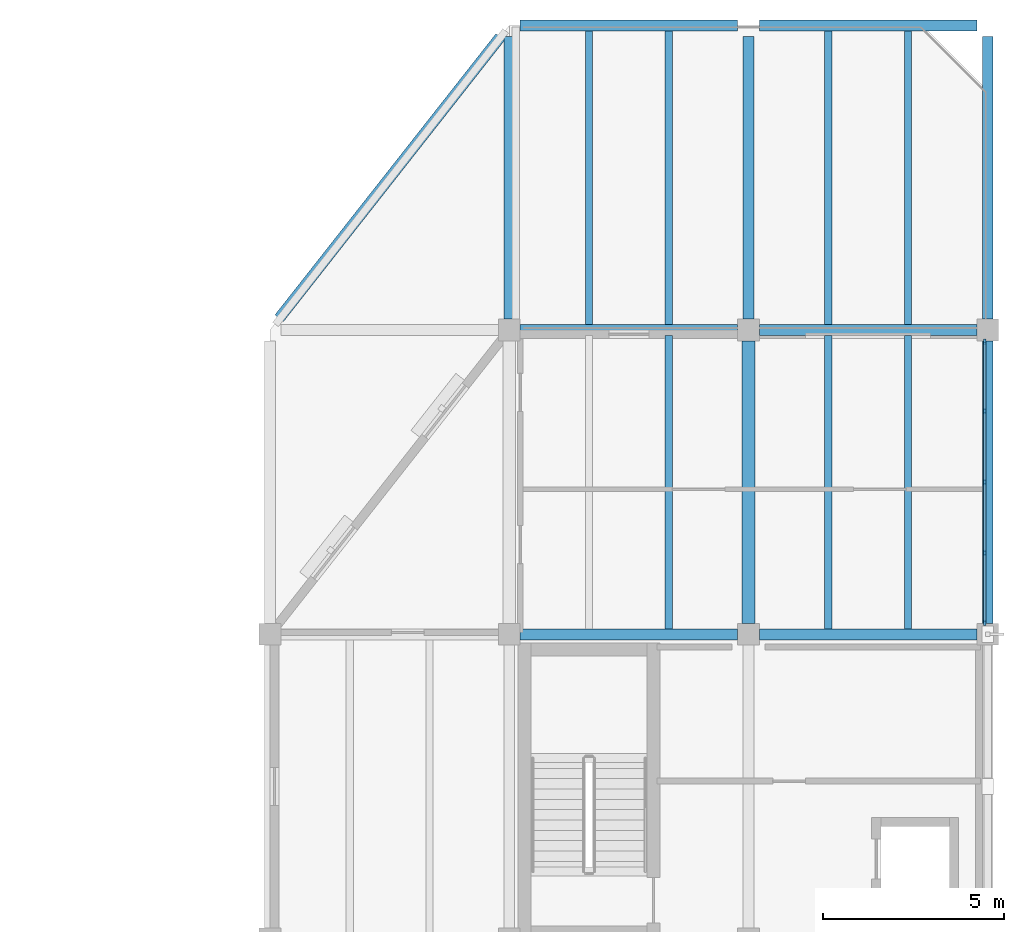
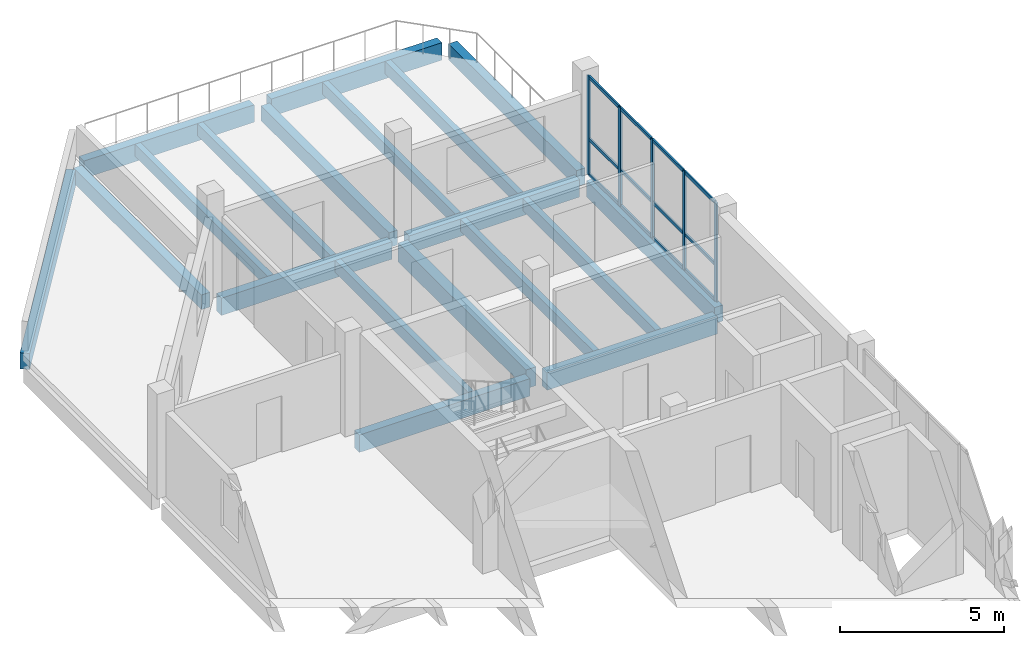
# One storey, part 4 of 10: 19 beams, 17 members, 1 element without a shape of its own.
"""IFC4 building model written with IfcOpenShell, lengths in metres."""

import ifcopenshell
import ifcopenshell.guid

model = None  # the IFC model being written
_history = None  # IfcOwnerHistory: only IFC2X3 demands one
_inside = {}  # id of a spatial element -> (the spatial element, [elements in it])
_under = {}  # id of a project, library or spatial element -> (it, [spatial elements below it])
_declared = {}  # id of a project -> (the project, [libraries it declares])
_typed = {}  # id of a type object -> (the type object, [elements of that type])
_made_of = {}  # id of a material, layer set ... -> (it, [elements and type objects made of it])


def new_model(schema):
    """Start an empty IFC model of exactly this schema.

    Asked for "IFC4X3", IfcOpenShell would pick the latest addendum, in which some entities
    have other attributes; the version numbers below select the first issue.
    IFC2X3 requires an IfcOwnerHistory on every rooted entity: one is made here for all.
    """
    global model, _history
    if schema == "IFC4X3":
        model = ifcopenshell.file(schema_version=(4, 3, 0, 0))
    else:
        model = ifcopenshell.file(schema=schema)
    _inside.clear()
    _under.clear()
    _declared.clear()
    _typed.clear()
    _made_of.clear()
    _history = None
    if model.schema == "IFC2X3":
        org = make("IfcOrganization", Name="unknown")
        user = make(
            "IfcPersonAndOrganization",
            ThePerson=make("IfcPerson", FamilyName="unknown"),
            TheOrganization=org,
        )
        app = make(
            "IfcApplication",
            ApplicationDeveloper=org,
            Version="unknown",
            ApplicationFullName="unknown",
            ApplicationIdentifier="unknown",
        )
        _history = make(
            "IfcOwnerHistory",
            OwningUser=user,
            OwningApplication=app,
            ChangeAction="ADDED",
            CreationDate=0,
        )
    return model


def make(cls, **values):
    """One entity of the class cls with the attributes given. An attribute that is None is left unset."""
    return model.create_entity(
        cls, **{name: value for name, value in values.items() if value is not None}
    )


def rooted(cls, **values):
    """An entity with a GlobalId (a new one), such as an element, a storey or a relation."""
    return make(cls, GlobalId=ifcopenshell.guid.new(), OwnerHistory=_history, **values)


def si_unit(unit_type, name, prefix=None):
    """IfcSIUnit, for example si_unit("LENGTHUNIT", "METRE", prefix="MILLI")."""
    return make("IfcSIUnit", UnitType=unit_type, Prefix=prefix, Name=name)


def assignment(units):
    """IfcUnitAssignment: the units of a project."""
    return None if units is None else make("IfcUnitAssignment", Units=units)


def point(xyz):
    """IfcCartesianPoint."""
    return None if xyz is None else make("IfcCartesianPoint", Coordinates=xyz)


def direction(xyz):
    """IfcDirection."""
    return None if xyz is None else make("IfcDirection", DirectionRatios=xyz)


def frame(location, z_axis=None, x_axis=None):
    """IfcAxis2Placement3D, a coordinate frame: its origin and axes. An axis left out is left unset."""
    return make(
        "IfcAxis2Placement3D",
        Location=point(location),
        Axis=direction(z_axis),
        RefDirection=direction(x_axis),
    )


def frame_2d(location, x_axis=None):
    """IfcAxis2Placement2D, a coordinate frame in the plane: its origin and x axis."""
    return make(
        "IfcAxis2Placement2D", Location=point(location), RefDirection=direction(x_axis)
    )


def origin():
    """The frame at (0, 0, 0) with its axes left unset."""
    return frame((0.0, 0.0, 0.0))


def origin_2d():
    """The frame at (0, 0) in the plane with its x axis left unset."""
    return frame_2d((0.0, 0.0))


def place(relative_to, where):
    """IfcLocalPlacement: puts the frame where relative to a parent placement (None: the world)."""
    return make(
        "IfcLocalPlacement", PlacementRelTo=relative_to, RelativePlacement=where
    )


def context(
    kind, dimensions, precision=None, world=None, true_north=None, identifier=None
):
    """IfcGeometricRepresentationContext, for example the 3D "Model" context."""
    return make(
        "IfcGeometricRepresentationContext",
        ContextIdentifier=identifier,
        ContextType=kind,
        CoordinateSpaceDimension=dimensions,
        Precision=precision,
        WorldCoordinateSystem=world,
        TrueNorth=true_north,
    )


def subcontext(parent, identifier, kind, view, scale=None):
    """IfcGeometricRepresentationSubContext, for example "Body" below "Model"."""
    return make(
        "IfcGeometricRepresentationSubContext",
        ContextIdentifier=identifier,
        ContextType=kind,
        ParentContext=parent,
        TargetScale=scale,
        TargetView=view,
    )


def project(units=None, contexts=None):
    """IfcProject with its units and contexts."""
    return rooted(
        "IfcProject",
        Name="project",
        RepresentationContexts=contexts,
        UnitsInContext=assignment(units),
    )


def spatial(cls, under=None, at=None, **own):
    """A site, building, storey or space (cls), placed at a placement, below another one or the project."""
    s = rooted(cls, ObjectPlacement=at, **own)
    if under is not None:
        _under.setdefault(under.id(), (under, []))[1].append(s)
    return s


def profile(cls, at=None, kind="AREA", **sizes):
    """A parametric profile (cls). Its sizes go by their IFC names, for example OverallWidth=200.0."""
    return make(cls, ProfileType=kind, Position=at, **sizes)


def rectangle(**sizes):
    """IfcRectangleProfileDef."""
    return profile("IfcRectangleProfileDef", **sizes)


def extrude(swept, where, along, depth):
    """IfcExtrudedAreaSolid: the profile swept, set in the frame where, extruded along a direction by depth."""
    return make(
        "IfcExtrudedAreaSolid",
        SweptArea=swept,
        Position=where,
        ExtrudedDirection=direction(along),
        Depth=depth,
    )


def shape(context_of_items, identifier, shape_type, items):
    """IfcShapeRepresentation: the items that make up one representation, for example the "Body"."""
    return make(
        "IfcShapeRepresentation",
        ContextOfItems=context_of_items,
        RepresentationIdentifier=identifier,
        RepresentationType=shape_type,
        Items=items,
    )


def material(Name=None, Category=None):
    """IfcMaterial."""
    return make("IfcMaterial", Name=Name, Category=Category)


def material_profile(
    of_material, cross_section, Name=None, Category=None, Priority=None
):
    """IfcMaterialProfile: a cross section and its material."""
    return make(
        "IfcMaterialProfile",
        Name=Name,
        Material=of_material,
        Profile=cross_section,
        Priority=Priority,
        Category=Category,
    )


def profile_set(profiles, Name=None, composite=None):
    """IfcMaterialProfileSet."""
    return make(
        "IfcMaterialProfileSet",
        Name=Name,
        MaterialProfiles=profiles,
        CompositeProfile=composite,
    )


def made_of(thing, what):
    """Note that an element or type object is made of a material, layer set ...; save() writes the relation."""
    if what is not None:
        _made_of.setdefault(what.id(), (what, []))[1].append(thing)
    return thing


def type_object(cls, material=None, **own):
    """A type object (cls), such as IfcWallType, which elements share."""
    return made_of(rooted(cls, **own), material)


def element(
    cls,
    number,
    at=None,
    inside=None,
    cuts=None,
    type_object=None,
    material=None,
    context=None,
    identifier="Body",
    shape_type=None,
    held_by="IfcProductDefinitionShape",
    body=None,
    shapes=None,
    **own,
):
    """One element of the class cls, such as IfcWall. Its Tag is "e" and its number.

    at: its placement. inside: the storey or other place that contains it. cuts: it is an
    opening in that element (IfcRelVoidsElement). A single representation is given by context,
    identifier, shape_type and body (its items); several are given by shapes. held_by: the class
    of the entity that holds the representations. save() writes the other relations.
    """
    e = rooted(cls, Tag="e%d" % number, ObjectPlacement=at, **own)
    if body is not None:
        shapes = [shape(context, identifier, shape_type, body)]
    if shapes is not None:
        e.Representation = make(held_by, Representations=shapes)
    if inside is not None:
        _inside.setdefault(inside.id(), (inside, []))[1].append(e)
    if cuts is not None:
        rooted(
            "IfcRelVoidsElement", RelatingBuildingElement=cuts, RelatedOpeningElement=e
        )
    if type_object is not None:
        _typed.setdefault(type_object.id(), (type_object, []))[1].append(e)
    return made_of(e, material)


def aggregate(whole, parts):
    """IfcRelAggregates: a whole, such as a stair, and the parts it consists of."""
    return rooted("IfcRelAggregates", RelatingObject=whole, RelatedObjects=parts)


def save(model, path):
    """Write the relations noted so far, then the file.

    IfcRelAggregates (storeys below a building ...), IfcRelContainedInSpatialStructure (elements
    in a storey), IfcRelDefinesByType, IfcRelAssociatesMaterial and IfcRelDeclares: one each for
    every whole, place, type object, material and project.
    """
    for whole, parts in _under.values():
        aggregate(whole, parts)
    for where, things in _inside.values():
        rooted(
            "IfcRelContainedInSpatialStructure",
            RelatedElements=things,
            RelatingStructure=where,
        )
    for kind, things in _typed.values():
        rooted("IfcRelDefinesByType", RelatedObjects=things, RelatingType=kind)
    for what, things in _made_of.values():
        rooted("IfcRelAssociatesMaterial", RelatedObjects=things, RelatingMaterial=what)
    for by, libraries in _declared.values():
        rooted("IfcRelDeclares", RelatingContext=by, RelatedDefinitions=libraries)
    model.write(path)


model = new_model("IFC4")

# Units and contexts
model_context = context("Model", 3, precision=1e-05, world=origin(), true_north=direction((0.0, 1.0)))
body_context = subcontext(model_context, "Body", "Model", "MODEL_VIEW")
ifc_project = project(units=[si_unit("LENGTHUNIT", "METRE"), si_unit("AREAUNIT", "SQUARE_METRE"), si_unit("VOLUMEUNIT", "CUBIC_METRE"), si_unit("PLANEANGLEUNIT", "RADIAN"), si_unit("MASSUNIT", "GRAM", prefix="KILO")], contexts=[model_context])

# Site, building, storey
site_placement = place(None, origin())
site = spatial("IfcSite", under=ifc_project, at=site_placement, CompositionType="ELEMENT")
building_placement = place(site_placement, origin())
building = spatial("IfcBuilding", under=site, at=building_placement, Name="Qaldarim Faculty of Natural and Applied Sciences", CompositionType="ELEMENT")
storey_placement = place(building_placement, frame((0.0, 0.0, 39.300048828125)))
storey = spatial("IfcBuildingStorey", under=building, at=storey_placement, Name="L09", CompositionType="ELEMENT", Elevation=39.300048828125)

# Beams
ifc_material_1 = material(Name="Concrete C40/50", Category="concrete")
ifc_material_profile_1 = material_profile(ifc_material_1, rectangle(XDim=0.300048828125, YDim=0.550048828125, at=origin_2d()), Name="RC-B300x550")
ifc_profile_set_1 = profile_set([ifc_material_profile_1], Name="Concrete C40/50")
beam_type_1 = type_object("IfcBeamType", Name="FloorBeam-RC300x550", PredefinedType="BEAM", material=ifc_profile_set_1)
for number, where, z_axis, x_axis, name in (
    (1, (165.0, 42.300048828125, -0.4951171875), (0.0, 1.0, 0.0), (-1.0, 0.0, 0.0), "Beam RC-B300x550 L08 X26/Y06-Y07"),
    (2, (171.60009765625, 42.300048828125, -0.4951171875), (0.0, 1.0, 0.0), (-1.0, 0.0, 0.0), "Beam RC-B300x550 L08 X27/Y06-Y07"),
):
    element("IfcBeam", number, at=place(storey_placement, frame(where, z_axis=z_axis, x_axis=x_axis)), inside=storey, type_object=beam_type_1, Name=name, PredefinedType="BEAM", context=body_context, shape_type="SweptSolid", body=[
        extrude(rectangle(XDim=0.300048828125, YDim=0.550048828125, at=origin_2d()), origin(), (0.0, 0.0, 1.0), 7.800048828125),
    ])
ifc_material_profile_2 = material_profile(ifc_material_1, rectangle(XDim=0.199951171875, YDim=0.449951171875, at=origin_2d()), Name="RC-J200x450")
ifc_profile_set_2 = profile_set([ifc_material_profile_2], Name="Concrete C40/50")
beam_type_2 = type_object("IfcBeamType", Name="LabJoist-RC200x450", PredefinedType="JOIST", material=ifc_profile_set_2)
for number, where, z_axis, x_axis, name in (
    (3, (169.39990234375, 33.75, -0.445068359375), (0.0, 1.0, 0.0), (-1.0, 0.0, 0.0), "Laboratory joist L08 bay X26Y05-2"),
    (4, (167.199951171875, 42.14990234375, -0.445068359375), (0.0, 1.0, 0.0), (-1.0, 0.0, 0.0), "Laboratory joist L08 bay X26Y06-1"),
    (5, (169.39990234375, 42.14990234375, -0.445068359375), (0.0, 1.0, 0.0), (-1.0, 0.0, 0.0), "Laboratory joist L08 bay X26Y06-2"),
    (6, (173.800048828125, 33.75, -0.445068359375), (0.0, 1.0, 0.0), (-1.0, 0.0, 0.0), "Laboratory joist L08 bay X27Y05-1"),
    (7, (176.0, 33.75, -0.445068359375), (0.0, 1.0, 0.0), (-1.0, 0.0, 0.0), "Laboratory joist L08 bay X27Y05-2"),
    (8, (173.800048828125, 42.14990234375, -0.445068359375), (0.0, 1.0, 0.0), (-1.0, 0.0, 0.0), "Laboratory joist L08 bay X27Y06-1"),
    (9, (176.0, 42.14990234375, -0.445068359375), (0.0, 1.0, 0.0), (-1.0, 0.0, 0.0), "Laboratory joist L08 bay X27Y06-2"),
):
    element("IfcBeam", number, at=place(storey_placement, frame(where, z_axis=z_axis, x_axis=x_axis)), inside=storey, type_object=beam_type_2, Name=name, PredefinedType="JOIST", context=body_context, shape_type="SweptSolid", body=[
        extrude(rectangle(XDim=0.199951171875, YDim=0.449951171875, at=origin_2d()), origin(), (0.0, 0.0, 1.0), 8.10009765625),
    ])

# Curtain wall, members
ifc_material_2 = material(Name="Anodised aluminium AW-6063", Category="aluminium")
curtain_wall_type = type_object("IfcCurtainWallType", Name="CurtainWallSystem-M1950", PredefinedType="USERDEFINED", material=ifc_material_2)
curtain_wall_placement = place(storey_placement, origin())
curtain_wall = element("IfcCurtainWall", 10, at=curtain_wall_placement, inside=storey, type_object=curtain_wall_type, Name="Curtain wall CW-L09-E-X27Y05", ObjectType="UNITISED FACADE", PredefinedType="USERDEFINED")
ifc_material_profile_3 = material_profile(ifc_material_2, rectangle(XDim=0.06005859375, YDim=0.14990234375, at=origin_2d()), Name="ALU-M60x150")
ifc_profile_set_3 = profile_set([ifc_material_profile_3], Name="Anodised aluminium AW-6063")
member_type_1 = type_object("IfcMemberType", Name="Mullion-ALU60x150", PredefinedType="MULLION", material=ifc_profile_set_3)
member_1_placement = place(storey_placement, frame((178.1201171875, 33.925048828125, 0.0), z_axis=(0.0, 0.0, 1.0), x_axis=(-1.0, 0.0, 0.0)))
member_1 = element("IfcMember", 11, at=member_1_placement, type_object=member_type_1, Name="Mullion 1 of CW-L09-E-X27Y05", PredefinedType="MULLION", context=body_context, shape_type="SweptSolid", body=[
    extrude(rectangle(XDim=0.06005859375, YDim=0.14990234375, at=origin_2d()), origin(), (0.0, 0.0, 1.0), 3.679931640625),
])
member_2_placement = place(storey_placement, frame((178.1201171875, 35.847412109375, 0.0), z_axis=(0.0, 0.0, 1.0), x_axis=(-1.0, 0.0, 0.0)))
member_2 = element("IfcMember", 12, at=member_2_placement, type_object=member_type_1, Name="Mullion 2 of CW-L09-E-X27Y05", PredefinedType="MULLION", context=body_context, shape_type="SweptSolid", body=[
    extrude(rectangle(XDim=0.06005859375, YDim=0.14990234375, at=origin_2d()), origin(), (0.0, 0.0, 1.0), 3.679931640625),
])
member_3_placement = place(storey_placement, frame((178.1201171875, 37.800048828125, 0.0), z_axis=(0.0, 0.0, 1.0), x_axis=(-1.0, 0.0, 0.0)))
member_3 = element("IfcMember", 13, at=member_3_placement, type_object=member_type_1, Name="Mullion 3 of CW-L09-E-X27Y05", PredefinedType="MULLION", context=body_context, shape_type="SweptSolid", body=[
    extrude(rectangle(XDim=0.06005859375, YDim=0.14990234375, at=origin_2d()), origin(), (0.0, 0.0, 1.0), 3.679931640625),
])
member_4_placement = place(storey_placement, frame((178.1201171875, 39.75244140625, 0.0), z_axis=(0.0, 0.0, 1.0), x_axis=(-1.0, 0.0, 0.0)))
member_4 = element("IfcMember", 14, at=member_4_placement, type_object=member_type_1, Name="Mullion 4 of CW-L09-E-X27Y05", PredefinedType="MULLION", context=body_context, shape_type="SweptSolid", body=[
    extrude(rectangle(XDim=0.06005859375, YDim=0.14990234375, at=origin_2d()), origin(), (0.0, 0.0, 1.0), 3.679931640625),
])
member_5_placement = place(storey_placement, frame((178.1201171875, 41.675048828125, 0.0), z_axis=(0.0, 0.0, 1.0), x_axis=(-1.0, 0.0, 0.0)))
member_5 = element("IfcMember", 15, at=member_5_placement, type_object=member_type_1, Name="Mullion 5 of CW-L09-E-X27Y05", PredefinedType="MULLION", context=body_context, shape_type="SweptSolid", body=[
    extrude(rectangle(XDim=0.06005859375, YDim=0.14990234375, at=origin_2d()), origin(), (0.0, 0.0, 1.0), 3.679931640625),
])

# Beams
ifc_material_profile_4 = material_profile(ifc_material_1, rectangle(XDim=0.300048828125, YDim=0.64990234375, at=origin_2d()), Name="RC-B300x650")
ifc_profile_set_4 = profile_set([ifc_material_profile_4], Name="Concrete C40/50")
beam_type_3 = type_object("IfcBeamType", Name="PrimaryBeam-RC300x650", PredefinedType="BEAM", material=ifc_profile_set_4)
for number, where, z_axis, x_axis, name in (
    (16, (165.300048828125, 33.60009765625, -0.545166015625), (1.0, 0.0, 0.0), (0.0, 1.0, 0.0), "Beam RC-B300x650 L08 X26-X27/Y05"),
    (17, (171.89990234375, 33.60009765625, -0.545166015625), (1.0, 0.0, 0.0), (0.0, 1.0, 0.0), "Beam RC-B300x650 L08 X27-X28/Y05"),
    (18, (165.300048828125, 42.0, -0.545166015625), (1.0, 0.0, 0.0), (0.0, 1.0, 0.0), "Beam RC-B300x650 L08 X26-X27/Y06"),
    (19, (171.89990234375, 42.0, -0.545166015625), (1.0, 0.0, 0.0), (0.0, 1.0, 0.0), "Beam RC-B300x650 L08 X27-X28/Y06"),
    (20, (165.300048828125, 50.39990234375, -0.545166015625), (1.0, 0.0, 0.0), (0.0, 1.0, 0.0), "Beam RC-B300x650 L08 X26-X27/Y07"),
    (21, (171.89990234375, 50.39990234375, -0.545166015625), (1.0, 0.0, 0.0), (0.0, 1.0, 0.0), "Beam RC-B300x650 L08 X27-X28/Y07"),
):
    element("IfcBeam", number, at=place(storey_placement, frame(where, z_axis=z_axis, x_axis=x_axis)), inside=storey, type_object=beam_type_3, Name=name, PredefinedType="BEAM", context=body_context, shape_type="SweptSolid", body=[
        extrude(rectangle(XDim=0.300048828125, YDim=0.64990234375, at=origin_2d()), origin(), (0.0, 0.0, 1.0), 6.0),
    ])
ifc_material_profile_5 = material_profile(ifc_material_1, rectangle(XDim=0.35009765625, YDim=0.699951171875, at=origin_2d()), Name="RC-B350x700")
ifc_profile_set_5 = profile_set([ifc_material_profile_5], Name="Concrete C40/50")
beam_type_4 = type_object("IfcBeamType", Name="PrimaryGirder-RC350x700", PredefinedType="BEAM", material=ifc_profile_set_5)
beam_1_placement = place(storey_placement, frame((171.60009765625, 33.89990234375, -0.570068359375), z_axis=(0.0, 1.0, 0.0), x_axis=(-1.0, 0.0, 0.0)))
element("IfcBeam", 22, at=beam_1_placement, inside=storey, type_object=beam_type_4, Name="Beam RC-B350x700 L08 X27/Y05-Y06", PredefinedType="BEAM", context=body_context, shape_type="SweptSolid", body=[
    extrude(rectangle(XDim=0.35009765625, YDim=0.699951171875, at=origin_2d()), origin(), (0.0, 0.0, 1.0), 7.800048828125),
])
ifc_material_3 = material(Name="Precast concrete C40/50", Category="concrete")
ifc_material_profile_6 = material_profile(ifc_material_3, rectangle(XDim=0.300048828125, YDim=0.60009765625, at=origin_2d()), Name="RC-SP300x600")
ifc_profile_set_6 = profile_set([ifc_material_profile_6], Name="Precast concrete C40/50")
beam_type_5 = type_object("IfcBeamType", Name="SpandrelBeam-RC300x600", PredefinedType="SPANDREL", material=ifc_profile_set_6)
for number, where, z_axis, x_axis, name in (
    (23, (178.199951171875, 33.89990234375, -0.52001953125), (0.0, 1.0, 0.0), (-1.0, 0.0, 0.0), "Beam RC-SP300x600 L08 X28/Y05-Y06"),
    (24, (178.199951171875, 42.300048828125, -0.52001953125), (0.0, 1.0, 0.0), (-1.0, 0.0, 0.0), "Beam RC-SP300x600 L08 X28/Y06-Y07"),
):
    element("IfcBeam", number, at=place(storey_placement, frame(where, z_axis=z_axis, x_axis=x_axis)), inside=storey, type_object=beam_type_5, Name=name, PredefinedType="SPANDREL", context=body_context, shape_type="SweptSolid", body=[
        extrude(rectangle(XDim=0.300048828125, YDim=0.60009765625, at=origin_2d()), origin(), (0.0, 0.0, 1.0), 7.800048828125),
    ])
beam_2_placement = place(storey_placement, frame((158.64990234375, 42.320068359375, -0.52001953125), z_axis=(0.618006143337, 0.786173267669, 0.0), x_axis=(-0.786173267669, 0.618006143337, 0.0)))
element("IfcBeam", 25, at=beam_2_placement, inside=storey, type_object=beam_type_5, Name="Oblique NW chamfer spandrel L08", PredefinedType="SPANDREL", context=body_context, shape_type="SweptSolid", body=[
    extrude(rectangle(XDim=0.300048828125, YDim=0.60009765625, at=origin_2d()), origin(), (0.0, 0.0, 1.0), 9.87060546875),
])

# Member
ifc_material_profile_7 = material_profile(ifc_material_2, rectangle(XDim=0.06005859375, YDim=0.1201171875, at=origin_2d()), Name="ALU-T60x120")
ifc_profile_set_7 = profile_set([ifc_material_profile_7], Name="Anodised aluminium AW-6063")
member_type_2 = type_object("IfcMemberType", Name="Transom-ALU60x120", PredefinedType="USERDEFINED", material=ifc_profile_set_7)
member_6_placement = place(storey_placement, frame((178.1201171875, 33.955078125, 0.030029296875), z_axis=(0.0, 1.0, 0.0), x_axis=(-1.0, 0.0, 0.0)))
member_6 = element("IfcMember", 26, at=member_6_placement, type_object=member_type_2, Name="Transom 1-1 of CW-L09-E-X27Y05", ObjectType="TRANSOM", PredefinedType="USERDEFINED", context=body_context, shape_type="SweptSolid", body=[
    extrude(rectangle(XDim=0.06005859375, YDim=0.1201171875, at=origin_2d()), origin(), (0.0, 0.0, 1.0), 1.8623046875),
])

member_7_placement = place(storey_placement, frame((178.1201171875, 33.955078125, 1.349853515625), z_axis=(0.0, 1.0, 0.0), x_axis=(-1.0, 0.0, 0.0)))
member_7 = element("IfcMember", 27, at=member_7_placement, type_object=member_type_2, Name="Transom 1-2 of CW-L09-E-X27Y05", ObjectType="TRANSOM", PredefinedType="USERDEFINED", context=body_context, shape_type="SweptSolid", body=[
    extrude(rectangle(XDim=0.06005859375, YDim=0.1201171875, at=origin_2d()), origin(), (0.0, 0.0, 1.0), 1.8623046875),
])

member_8_placement = place(storey_placement, frame((178.1201171875, 33.955078125, 3.64990234375), z_axis=(0.0, 1.0, 0.0), x_axis=(-1.0, 0.0, 0.0)))
member_8 = element("IfcMember", 28, at=member_8_placement, type_object=member_type_2, Name="Transom 1-3 of CW-L09-E-X27Y05", ObjectType="TRANSOM", PredefinedType="USERDEFINED", context=body_context, shape_type="SweptSolid", body=[
    extrude(rectangle(XDim=0.06005859375, YDim=0.1201171875, at=origin_2d()), origin(), (0.0, 0.0, 1.0), 1.8623046875),
])

member_9_placement = place(storey_placement, frame((178.1201171875, 35.87744140625, 0.030029296875), z_axis=(0.0, 1.0, 0.0), x_axis=(-1.0, 0.0, 0.0)))
member_9 = element("IfcMember", 29, at=member_9_placement, type_object=member_type_2, Name="Transom 2-1 of CW-L09-E-X27Y05", ObjectType="TRANSOM", PredefinedType="USERDEFINED", context=body_context, shape_type="SweptSolid", body=[
    extrude(rectangle(XDim=0.06005859375, YDim=0.1201171875, at=origin_2d()), origin(), (0.0, 0.0, 1.0), 1.892578125),
])

member_10_placement = place(storey_placement, frame((178.1201171875, 35.87744140625, 1.349853515625), z_axis=(0.0, 1.0, 0.0), x_axis=(-1.0, 0.0, 0.0)))
member_10 = element("IfcMember", 30, at=member_10_placement, type_object=member_type_2, Name="Transom 2-2 of CW-L09-E-X27Y05", ObjectType="TRANSOM", PredefinedType="USERDEFINED", context=body_context, shape_type="SweptSolid", body=[
    extrude(rectangle(XDim=0.06005859375, YDim=0.1201171875, at=origin_2d()), origin(), (0.0, 0.0, 1.0), 1.892578125),
])

member_11_placement = place(storey_placement, frame((178.1201171875, 35.87744140625, 3.64990234375), z_axis=(0.0, 1.0, 0.0), x_axis=(-1.0, 0.0, 0.0)))
member_11 = element("IfcMember", 31, at=member_11_placement, type_object=member_type_2, Name="Transom 2-3 of CW-L09-E-X27Y05", ObjectType="TRANSOM", PredefinedType="USERDEFINED", context=body_context, shape_type="SweptSolid", body=[
    extrude(rectangle(XDim=0.06005859375, YDim=0.1201171875, at=origin_2d()), origin(), (0.0, 0.0, 1.0), 1.892578125),
])

member_12_placement = place(storey_placement, frame((178.1201171875, 37.830078125, 0.030029296875), z_axis=(0.0, 1.0, 0.0), x_axis=(-1.0, 0.0, 0.0)))
member_12 = element("IfcMember", 32, at=member_12_placement, type_object=member_type_2, Name="Transom 3-1 of CW-L09-E-X27Y05", ObjectType="TRANSOM", PredefinedType="USERDEFINED", context=body_context, shape_type="SweptSolid", body=[
    extrude(rectangle(XDim=0.06005859375, YDim=0.1201171875, at=origin_2d()), origin(), (0.0, 0.0, 1.0), 1.892333984375),
])

member_13_placement = place(storey_placement, frame((178.1201171875, 37.830078125, 1.349853515625), z_axis=(0.0, 1.0, 0.0), x_axis=(-1.0, 0.0, 0.0)))
member_13 = element("IfcMember", 33, at=member_13_placement, type_object=member_type_2, Name="Transom 3-2 of CW-L09-E-X27Y05", ObjectType="TRANSOM", PredefinedType="USERDEFINED", context=body_context, shape_type="SweptSolid", body=[
    extrude(rectangle(XDim=0.06005859375, YDim=0.1201171875, at=origin_2d()), origin(), (0.0, 0.0, 1.0), 1.892333984375),
])

member_14_placement = place(storey_placement, frame((178.1201171875, 37.830078125, 3.64990234375), z_axis=(0.0, 1.0, 0.0), x_axis=(-1.0, 0.0, 0.0)))
member_14 = element("IfcMember", 34, at=member_14_placement, type_object=member_type_2, Name="Transom 3-3 of CW-L09-E-X27Y05", ObjectType="TRANSOM", PredefinedType="USERDEFINED", context=body_context, shape_type="SweptSolid", body=[
    extrude(rectangle(XDim=0.06005859375, YDim=0.1201171875, at=origin_2d()), origin(), (0.0, 0.0, 1.0), 1.892333984375),
])

member_15_placement = place(storey_placement, frame((178.1201171875, 39.782470703125, 0.030029296875), z_axis=(0.0, 1.0, 0.0), x_axis=(-1.0, 0.0, 0.0)))
member_15 = element("IfcMember", 35, at=member_15_placement, type_object=member_type_2, Name="Transom 4-1 of CW-L09-E-X27Y05", ObjectType="TRANSOM", PredefinedType="USERDEFINED", context=body_context, shape_type="SweptSolid", body=[
    extrude(rectangle(XDim=0.06005859375, YDim=0.1201171875, at=origin_2d()), origin(), (0.0, 0.0, 1.0), 1.862548828125),
])

member_16_placement = place(storey_placement, frame((178.1201171875, 39.782470703125, 1.349853515625), z_axis=(0.0, 1.0, 0.0), x_axis=(-1.0, 0.0, 0.0)))
member_16 = element("IfcMember", 36, at=member_16_placement, type_object=member_type_2, Name="Transom 4-2 of CW-L09-E-X27Y05", ObjectType="TRANSOM", PredefinedType="USERDEFINED", context=body_context, shape_type="SweptSolid", body=[
    extrude(rectangle(XDim=0.06005859375, YDim=0.1201171875, at=origin_2d()), origin(), (0.0, 0.0, 1.0), 1.862548828125),
])

member_17_placement = place(storey_placement, frame((178.1201171875, 39.782470703125, 3.64990234375), z_axis=(0.0, 1.0, 0.0), x_axis=(-1.0, 0.0, 0.0)))
member_17 = element("IfcMember", 37, at=member_17_placement, type_object=member_type_2, Name="Transom 4-3 of CW-L09-E-X27Y05", ObjectType="TRANSOM", PredefinedType="USERDEFINED", context=body_context, shape_type="SweptSolid", body=[
    extrude(rectangle(XDim=0.06005859375, YDim=0.1201171875, at=origin_2d()), origin(), (0.0, 0.0, 1.0), 1.862548828125),
])

aggregate(curtain_wall, [member_1, member_2, member_3, member_4, member_5, member_6, member_7, member_8, member_9, member_10, member_11, member_12, member_13, member_14, member_15, member_16, member_17])

save(model, "model.ifc")
